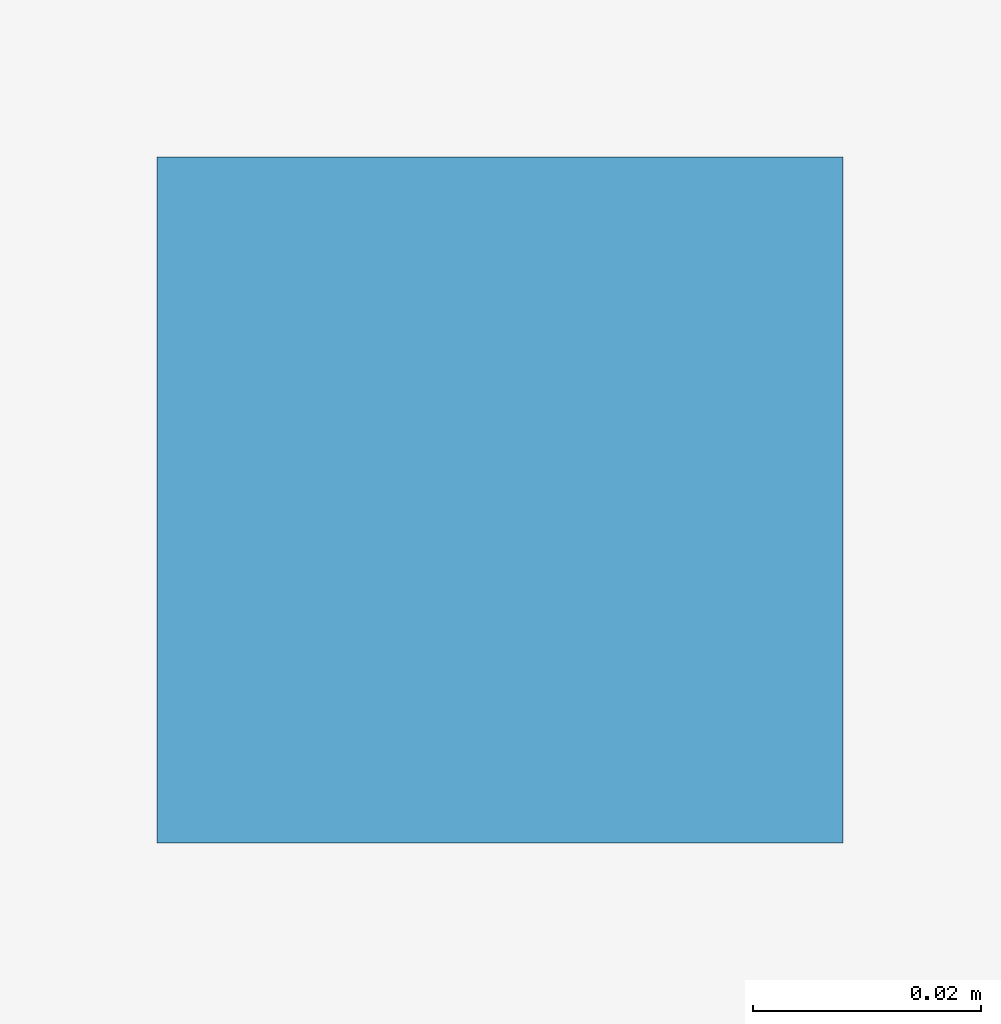
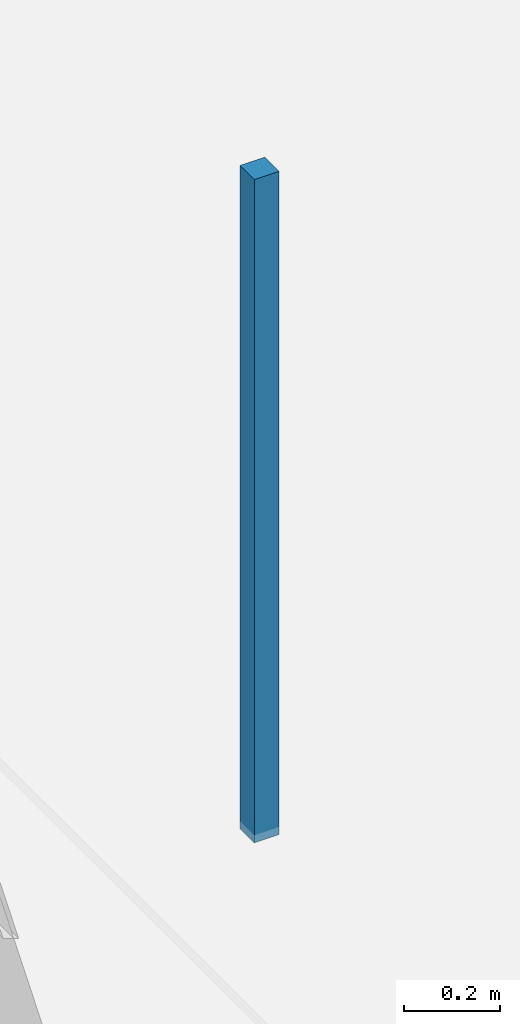
# One storey, part 75 of 126: 1 discrete accessory.
"""IFC4 building model written with IfcOpenShell, lengths in metres."""

import ifcopenshell
import ifcopenshell.guid

model = None  # the IFC model being written
_history = None  # IfcOwnerHistory: only IFC2X3 demands one
_inside = {}  # id of a spatial element -> (the spatial element, [elements in it])
_under = {}  # id of a project, library or spatial element -> (it, [spatial elements below it])
_declared = {}  # id of a project -> (the project, [libraries it declares])
_typed = {}  # id of a type object -> (the type object, [elements of that type])
_made_of = {}  # id of a material, layer set ... -> (it, [elements and type objects made of it])


def new_model(schema):
    """Start an empty IFC model of exactly this schema.

    Asked for "IFC4X3", IfcOpenShell would pick the latest addendum, in which some entities
    have other attributes; the version numbers below select the first issue.
    IFC2X3 requires an IfcOwnerHistory on every rooted entity: one is made here for all.
    """
    global model, _history
    if schema == "IFC4X3":
        model = ifcopenshell.file(schema_version=(4, 3, 0, 0))
    else:
        model = ifcopenshell.file(schema=schema)
    _inside.clear()
    _under.clear()
    _declared.clear()
    _typed.clear()
    _made_of.clear()
    _history = None
    if model.schema == "IFC2X3":
        org = make("IfcOrganization", Name="unknown")
        user = make(
            "IfcPersonAndOrganization",
            ThePerson=make("IfcPerson", FamilyName="unknown"),
            TheOrganization=org,
        )
        app = make(
            "IfcApplication",
            ApplicationDeveloper=org,
            Version="unknown",
            ApplicationFullName="unknown",
            ApplicationIdentifier="unknown",
        )
        _history = make(
            "IfcOwnerHistory",
            OwningUser=user,
            OwningApplication=app,
            ChangeAction="ADDED",
            CreationDate=0,
        )
    return model


def make(cls, **values):
    """One entity of the class cls with the attributes given. An attribute that is None is left unset."""
    return model.create_entity(
        cls, **{name: value for name, value in values.items() if value is not None}
    )


def rooted(cls, **values):
    """An entity with a GlobalId (a new one), such as an element, a storey or a relation."""
    return make(cls, GlobalId=ifcopenshell.guid.new(), OwnerHistory=_history, **values)


def si_unit(unit_type, name, prefix=None):
    """IfcSIUnit, for example si_unit("LENGTHUNIT", "METRE", prefix="MILLI")."""
    return make("IfcSIUnit", UnitType=unit_type, Prefix=prefix, Name=name)


def assignment(units):
    """IfcUnitAssignment: the units of a project."""
    return None if units is None else make("IfcUnitAssignment", Units=units)


def point(xyz):
    """IfcCartesianPoint."""
    return None if xyz is None else make("IfcCartesianPoint", Coordinates=xyz)


def direction(xyz):
    """IfcDirection."""
    return None if xyz is None else make("IfcDirection", DirectionRatios=xyz)


def frame(location, z_axis=None, x_axis=None):
    """IfcAxis2Placement3D, a coordinate frame: its origin and axes. An axis left out is left unset."""
    return make(
        "IfcAxis2Placement3D",
        Location=point(location),
        Axis=direction(z_axis),
        RefDirection=direction(x_axis),
    )


def frame_2d(location, x_axis=None):
    """IfcAxis2Placement2D, a coordinate frame in the plane: its origin and x axis."""
    return make(
        "IfcAxis2Placement2D", Location=point(location), RefDirection=direction(x_axis)
    )


def origin():
    """The frame at (0, 0, 0) with its axes left unset."""
    return frame((0.0, 0.0, 0.0))


def origin_2d():
    """The frame at (0, 0) in the plane with its x axis left unset."""
    return frame_2d((0.0, 0.0))


def place(relative_to, where):
    """IfcLocalPlacement: puts the frame where relative to a parent placement (None: the world)."""
    return make(
        "IfcLocalPlacement", PlacementRelTo=relative_to, RelativePlacement=where
    )


def context(
    kind, dimensions, precision=None, world=None, true_north=None, identifier=None
):
    """IfcGeometricRepresentationContext, for example the 3D "Model" context."""
    return make(
        "IfcGeometricRepresentationContext",
        ContextIdentifier=identifier,
        ContextType=kind,
        CoordinateSpaceDimension=dimensions,
        Precision=precision,
        WorldCoordinateSystem=world,
        TrueNorth=true_north,
    )


def subcontext(parent, identifier, kind, view, scale=None):
    """IfcGeometricRepresentationSubContext, for example "Body" below "Model"."""
    return make(
        "IfcGeometricRepresentationSubContext",
        ContextIdentifier=identifier,
        ContextType=kind,
        ParentContext=parent,
        TargetScale=scale,
        TargetView=view,
    )


def project(units=None, contexts=None):
    """IfcProject with its units and contexts."""
    return rooted(
        "IfcProject",
        Name="project",
        RepresentationContexts=contexts,
        UnitsInContext=assignment(units),
    )


def spatial(cls, under=None, at=None, **own):
    """A site, building, storey or space (cls), placed at a placement, below another one or the project."""
    s = rooted(cls, ObjectPlacement=at, **own)
    if under is not None:
        _under.setdefault(under.id(), (under, []))[1].append(s)
    return s


def profile(cls, at=None, kind="AREA", **sizes):
    """A parametric profile (cls). Its sizes go by their IFC names, for example OverallWidth=200.0."""
    return make(cls, ProfileType=kind, Position=at, **sizes)


def rectangle(**sizes):
    """IfcRectangleProfileDef."""
    return profile("IfcRectangleProfileDef", **sizes)


def extrude(swept, where, along, depth):
    """IfcExtrudedAreaSolid: the profile swept, set in the frame where, extruded along a direction by depth."""
    return make(
        "IfcExtrudedAreaSolid",
        SweptArea=swept,
        Position=where,
        ExtrudedDirection=direction(along),
        Depth=depth,
    )


def shape(context_of_items, identifier, shape_type, items):
    """IfcShapeRepresentation: the items that make up one representation, for example the "Body"."""
    return make(
        "IfcShapeRepresentation",
        ContextOfItems=context_of_items,
        RepresentationIdentifier=identifier,
        RepresentationType=shape_type,
        Items=items,
    )


def material(Name=None, Category=None):
    """IfcMaterial."""
    return make("IfcMaterial", Name=Name, Category=Category)


def made_of(thing, what):
    """Note that an element or type object is made of a material, layer set ...; save() writes the relation."""
    if what is not None:
        _made_of.setdefault(what.id(), (what, []))[1].append(thing)
    return thing


def type_object(cls, material=None, **own):
    """A type object (cls), such as IfcWallType, which elements share."""
    return made_of(rooted(cls, **own), material)


def element(
    cls,
    number,
    at=None,
    inside=None,
    cuts=None,
    type_object=None,
    material=None,
    context=None,
    identifier="Body",
    shape_type=None,
    held_by="IfcProductDefinitionShape",
    body=None,
    shapes=None,
    **own,
):
    """One element of the class cls, such as IfcWall. Its Tag is "e" and its number.

    at: its placement. inside: the storey or other place that contains it. cuts: it is an
    opening in that element (IfcRelVoidsElement). A single representation is given by context,
    identifier, shape_type and body (its items); several are given by shapes. held_by: the class
    of the entity that holds the representations. save() writes the other relations.
    """
    e = rooted(cls, Tag="e%d" % number, ObjectPlacement=at, **own)
    if body is not None:
        shapes = [shape(context, identifier, shape_type, body)]
    if shapes is not None:
        e.Representation = make(held_by, Representations=shapes)
    if inside is not None:
        _inside.setdefault(inside.id(), (inside, []))[1].append(e)
    if cuts is not None:
        rooted(
            "IfcRelVoidsElement", RelatingBuildingElement=cuts, RelatedOpeningElement=e
        )
    if type_object is not None:
        _typed.setdefault(type_object.id(), (type_object, []))[1].append(e)
    return made_of(e, material)


def aggregate(whole, parts):
    """IfcRelAggregates: a whole, such as a stair, and the parts it consists of."""
    return rooted("IfcRelAggregates", RelatingObject=whole, RelatedObjects=parts)


def save(model, path):
    """Write the relations noted so far, then the file.

    IfcRelAggregates (storeys below a building ...), IfcRelContainedInSpatialStructure (elements
    in a storey), IfcRelDefinesByType, IfcRelAssociatesMaterial and IfcRelDeclares: one each for
    every whole, place, type object, material and project.
    """
    for whole, parts in _under.values():
        aggregate(whole, parts)
    for where, things in _inside.values():
        rooted(
            "IfcRelContainedInSpatialStructure",
            RelatedElements=things,
            RelatingStructure=where,
        )
    for kind, things in _typed.values():
        rooted("IfcRelDefinesByType", RelatedObjects=things, RelatingType=kind)
    for what, things in _made_of.values():
        rooted("IfcRelAssociatesMaterial", RelatedObjects=things, RelatingMaterial=what)
    for by, libraries in _declared.values():
        rooted("IfcRelDeclares", RelatingContext=by, RelatedDefinitions=libraries)
    model.write(path)


model = new_model("IFC4")

# Units and contexts
model_context = context("Model", 3, precision=1e-05, world=origin(), true_north=direction((0.0, 1.0)))
body_context = subcontext(model_context, "Body", "Model", "MODEL_VIEW")
ifc_project = project(units=[si_unit("LENGTHUNIT", "METRE"), si_unit("AREAUNIT", "SQUARE_METRE"), si_unit("VOLUMEUNIT", "CUBIC_METRE"), si_unit("PLANEANGLEUNIT", "RADIAN"), si_unit("MASSUNIT", "GRAM", prefix="KILO")], contexts=[model_context])

# Site, building, storey
site_placement = place(None, origin())
site = spatial("IfcSite", under=ifc_project, at=site_placement, CompositionType="ELEMENT")
building_placement = place(site_placement, origin())
building = spatial("IfcBuilding", under=site, at=building_placement, Name="Khelvaren Railside Concert Hall", CompositionType="ELEMENT")
storey_placement = place(building_placement, origin())
storey = spatial("IfcBuildingStorey", under=building, at=storey_placement, Name="L00", CompositionType="ELEMENT", Elevation=0.0)

# Discrete accessory
ifc_material = material(Name="Galvanised steel acoustic ceiling hanger rod", Category="steel")
discrete_accessory_type = type_object("IfcDiscreteAccessoryType", Name="BRK62", PredefinedType="BRACKET", material=ifc_material)
discrete_accessory_placement = place(storey_placement, frame((9.300048828125, 22.800048828125, 3.429931640625), z_axis=(0.0, 0.0, 1.0), x_axis=(1.0, 0.0, 0.0)))
element("IfcDiscreteAccessory", 1, at=discrete_accessory_placement, inside=storey, type_object=discrete_accessory_type, Name="Acoustic Ceiling Suspension Bracket 1-1", PredefinedType="BRACKET", context=body_context, shape_type="SweptSolid", body=[
    extrude(rectangle(XDim=0.06005859375, YDim=0.06005859375, at=origin_2d()), origin(), (0.0, 0.0, 1.0), 1.68994140625),
])

save(model, "model.ifc")
